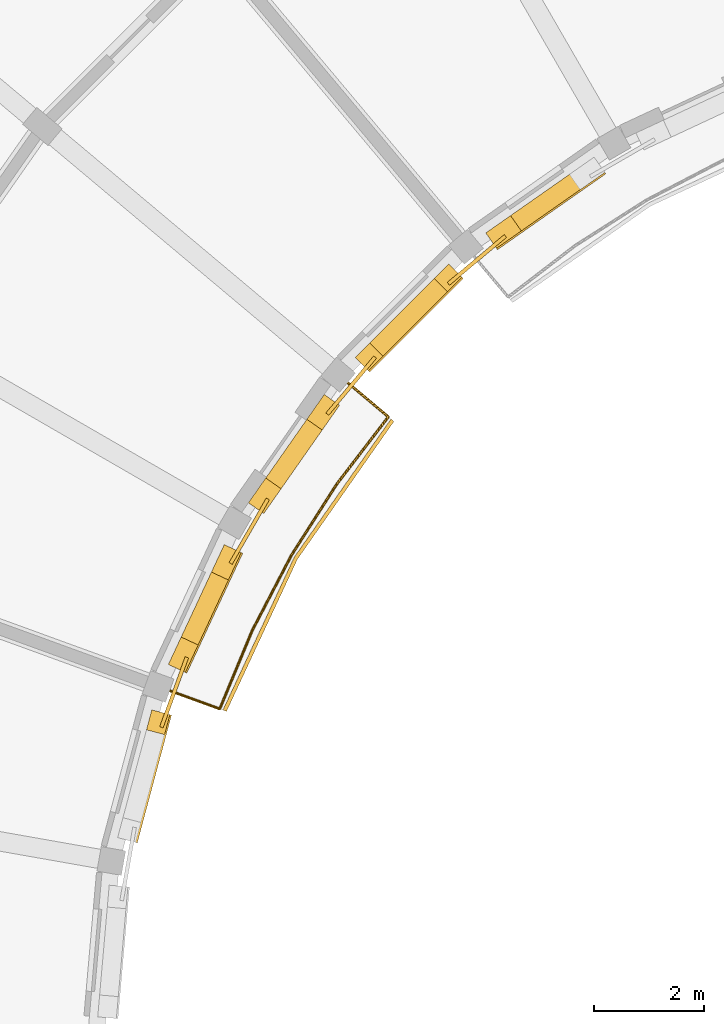
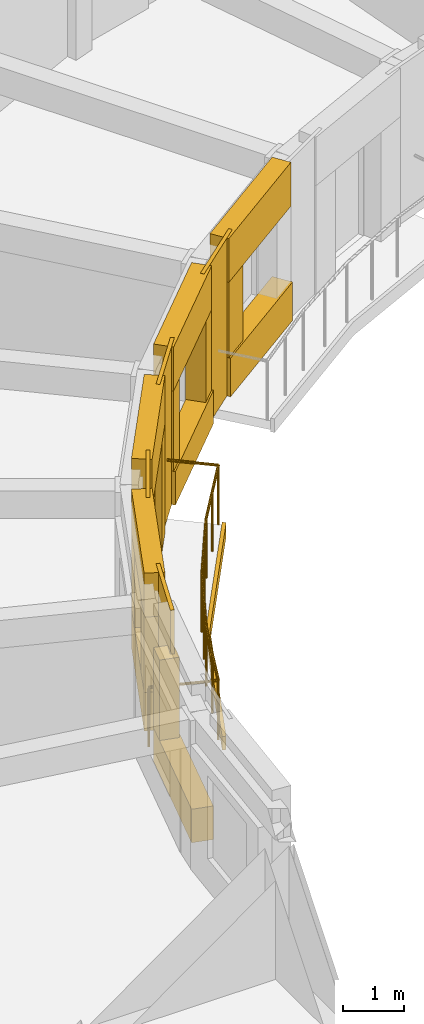
# One storey, part 13 of 16: 21 coverings, 1 railing.
"""IFC4 building model written with IfcOpenShell, lengths in metres."""

from ifc_helpers import new_model, si_unit, direction, frame, origin, origin_2d, place, context, subcontext, project, spatial, polyline, circle, outline, extrude, material, layer, layer_set, type_object, element, save


model = new_model("IFC4")

# Units and contexts
model_context = context("Model", 3, precision=1e-05, world=origin(), true_north=direction((0.0, 1.0)))
body_context = subcontext(model_context, "Body", "Model", "MODEL_VIEW")
ifc_project = project(units=[si_unit("LENGTHUNIT", "METRE"), si_unit("AREAUNIT", "SQUARE_METRE"), si_unit("VOLUMEUNIT", "CUBIC_METRE"), si_unit("PLANEANGLEUNIT", "RADIAN"), si_unit("MASSUNIT", "GRAM", prefix="KILO")], contexts=[model_context])

# Site, building, storey
site_placement = place(None, origin())
site = spatial("IfcSite", under=ifc_project, at=site_placement, CompositionType="ELEMENT")
building_placement = place(site_placement, origin())
building = spatial("IfcBuilding", under=site, at=building_placement, Name="Kiranvali Square Residences", CompositionType="ELEMENT")
storey_placement = place(building_placement, frame((0.0, 0.0, 46.5)))
storey = spatial("IfcBuildingStorey", under=building, at=storey_placement, Name="L14", CompositionType="ELEMENT", Elevation=46.5)

# Coverings
ifc_material_1 = material(Name="Carved Porbandar limestone classical entablature and cornice", Category="masonry")
ifc_layer_1 = layer(ifc_material_1, 0.06201171875)
ifc_layer_set_1 = layer_set([ifc_layer_1], Name="Carved Porbandar limestone classical entablature and cornice")
covering_type_1 = type_object("IfcCoveringType", Name="COV-CLAD-GBAL", PredefinedType="CLADDING", material=ifc_layer_set_1)
covering_1_placement = place(storey_placement, frame((0.0, 0.0, -0.219970703125)))
element("IfcCovering", 1, at=covering_1_placement, inside=storey, type_object=covering_type_1, Name="Block A L14 garden balcony limestone fascia 2", PredefinedType="CLADDING", context=body_context, shape_type="SweptSolid", body=[
    extrude(outline(polyline([(34.757568359375, 99.07958984375), (33.0029296875, 96.573974609375), (31.710205078125, 93.8017578125), (31.774169921875, 93.778564453125), (33.061767578125, 96.5400390625), (34.8095703125, 99.035888671875), (34.757568359375, 99.07958984375)])), origin(), (0.0, 0.0, 1.0), 0.27001953125),
])
ifc_material_2 = material(Name="Honed Porbandar limestone ashlar facade cladding", Category="masonry")
ifc_layer_2 = layer(ifc_material_2, 0.3798828125)
ifc_layer_set_2 = layer_set([ifc_layer_2], Name="Honed Porbandar limestone ashlar facade cladding")
covering_type_2 = type_object("IfcCoveringType", Name="COV-CLAD-JAMB", PredefinedType="CLADDING", material=ifc_layer_set_2)
covering_2_placement = place(storey_placement, frame((0.0, 0.0, 0.77197265625)))
element("IfcCovering", 2, at=covering_2_placement, inside=storey, type_object=covering_type_2, Name="L14 deep limestone window jamb reveal A-L14-GDN-03.R", PredefinedType="CLADDING", context=body_context, shape_type="SweptSolid", body=[
    extrude(outline(polyline([(36.925537109375, 102.768310546875), (36.476318359375, 102.45361328125), (36.671142578125, 102.175537109375), (37.120361328125, 102.490234375), (36.925537109375, 102.768310546875)])), origin(), (0.0, 0.0, 1.0), 1.5),
])
covering_3_placement = place(storey_placement, frame((0.0, 0.0, 0.672119140625)))
element("IfcCovering", 3, at=covering_3_placement, inside=storey, type_object=covering_type_2, Name="L14 deep limestone window jamb reveal A-L14-GDN-04.L", PredefinedType="CLADDING", context=body_context, shape_type="SweptSolid", body=[
    extrude(outline(polyline([(35.804931640625, 101.89013671875), (35.540771484375, 101.6259765625), (35.78076171875, 101.385986328125), (36.044921875, 101.650146484375), (35.804931640625, 101.89013671875)])), origin(), (0.0, 0.0, 1.0), 1.599853515625),
])
covering_4_placement = place(storey_placement, frame((0.0, 0.0, 0.672119140625)))
element("IfcCovering", 4, at=covering_4_placement, inside=storey, type_object=covering_type_2, Name="L14 deep limestone window jamb reveal A-L14-GDN-04.R", PredefinedType="CLADDING", context=body_context, shape_type="SweptSolid", body=[
    extrude(outline(polyline([(34.3740234375, 100.459228515625), (34.10986328125, 100.195068359375), (34.349853515625, 99.955078125), (34.614013671875, 100.21923828125), (34.3740234375, 100.459228515625)])), origin(), (0.0, 0.0, 1.0), 1.599853515625),
])
covering_5_placement = place(storey_placement, origin())
element("IfcCovering", 5, at=covering_5_placement, inside=storey, type_object=covering_type_2, Name="L14 deep limestone window jamb reveal A-L14-GDN-05.L", PredefinedType="CLADDING", context=body_context, shape_type="SweptSolid", body=[
    extrude(outline(polyline([(33.54638671875, 99.523681640625), (33.231689453125, 99.074462890625), (33.509765625, 98.879638671875), (33.824462890625, 99.328857421875), (33.54638671875, 99.523681640625)])), origin(), (0.0, 0.0, 1.0), 2.179931640625),
])
covering_6_placement = place(storey_placement, origin())
element("IfcCovering", 6, at=covering_6_placement, inside=storey, type_object=covering_type_2, Name="L14 deep limestone window jamb reveal A-L14-GDN-05.R", PredefinedType="CLADDING", context=body_context, shape_type="SweptSolid", body=[
    extrude(outline(polyline([(32.486083984375, 98.009521484375), (32.171630859375, 97.56005859375), (32.44970703125, 97.365478515625), (32.76416015625, 97.814697265625), (32.486083984375, 98.009521484375)])), origin(), (0.0, 0.0, 1.0), 2.179931640625),
])
covering_7_placement = place(storey_placement, frame((0.0, 0.0, 0.77197265625)))
element("IfcCovering", 7, at=covering_7_placement, inside=storey, type_object=covering_type_2, Name="L14 deep limestone window jamb reveal A-L14-GDN-06.L", PredefinedType="CLADDING", context=body_context, shape_type="SweptSolid", body=[
    extrude(outline(polyline([(31.733154296875, 96.801025390625), (31.50146484375, 96.303955078125), (31.80908203125, 96.160400390625), (32.041015625, 96.657470703125), (31.733154296875, 96.801025390625)])), origin(), (0.0, 0.0, 1.0), 1.5),
])
covering_8_placement = place(storey_placement, frame((0.0, 0.0, 0.77197265625)))
element("IfcCovering", 8, at=covering_8_placement, inside=storey, type_object=covering_type_2, Name="L14 deep limestone window jamb reveal A-L14-GDN-06.R", PredefinedType="CLADDING", context=body_context, shape_type="SweptSolid", body=[
    extrude(outline(polyline([(30.951904296875, 95.125732421875), (30.72021484375, 94.62841796875), (31.02783203125, 94.485107421875), (31.259765625, 94.982177734375), (30.951904296875, 95.125732421875)])), origin(), (0.0, 0.0, 1.0), 1.5),
])
covering_9_placement = place(storey_placement, frame((0.0, 0.0, 0.672119140625)))
element("IfcCovering", 9, at=covering_9_placement, inside=storey, type_object=covering_type_2, Name="L14 deep limestone window jamb reveal A-L14-GDN-07.L", PredefinedType="CLADDING", context=body_context, shape_type="SweptSolid", body=[
    extrude(outline(polyline([(30.42041015625, 93.804931640625), (30.32373046875, 93.444091796875), (30.651611328125, 93.356201171875), (30.748291015625, 93.717041015625), (30.42041015625, 93.804931640625)])), origin(), (0.0, 0.0, 1.0), 1.599853515625),
])
ifc_layer_3 = layer(ifc_material_2, 0.050048828125)
ifc_layer_set_3 = layer_set([ifc_layer_3], Name="Honed Porbandar limestone ashlar facade cladding")
covering_type_3 = type_object("IfcCoveringType", Name="COV-CLAD-PIER-IN", PredefinedType="CLADDING", material=ifc_layer_set_3)
covering_10_placement = place(storey_placement, frame((0.0, 0.0, 0.0048828125)))
element("IfcCovering", 10, at=covering_10_placement, inside=storey, type_object=covering_type_3, Name="L14 Classical garden courtyard pilaster CLAD-PRIN-A-L14-A04", PredefinedType="CLADDING", context=body_context, shape_type="SweptSolid", body=[
    extrude(outline(polyline([(35.819091796875, 101.5048828125), (36.853271484375, 102.372802734375), (36.809814453125, 102.424560546875), (35.775634765625, 101.556640625), (35.819091796875, 101.5048828125)])), origin(), (0.0, 0.0, 1.0), 3.14013671875),
])
covering_11_placement = place(storey_placement, frame((0.0, 0.0, 0.0048828125)))
element("IfcCovering", 11, at=covering_11_placement, inside=storey, type_object=covering_type_3, Name="L14 Classical garden courtyard pilaster CLAD-PRIN-A-L14-A05", PredefinedType="CLADDING", context=body_context, shape_type="SweptSolid", body=[
    extrude(outline(polyline([(33.627197265625, 99.146728515625), (34.4951171875, 100.180908203125), (34.443359375, 100.224365234375), (33.575439453125, 99.190185546875), (33.627197265625, 99.146728515625)])), origin(), (0.0, 0.0, 1.0), 3.14013671875),
])
covering_12_placement = place(storey_placement, frame((0.0, 0.0, 0.0048828125)))
element("IfcCovering", 12, at=covering_12_placement, inside=storey, type_object=covering_type_3, Name="L14 Classical garden courtyard pilaster CLAD-PRIN-A-L14-A06", PredefinedType="CLADDING", context=body_context, shape_type="SweptSolid", body=[
    extrude(outline(polyline([(31.878173828125, 96.44384765625), (32.55322265625, 97.613037109375), (32.494873046875, 97.646728515625), (31.81982421875, 96.477783203125), (31.878173828125, 96.44384765625)])), origin(), (0.0, 0.0, 1.0), 3.14013671875),
])
covering_13_placement = place(storey_placement, frame((0.0, 0.0, 0.0048828125)))
element("IfcCovering", 13, at=covering_13_placement, inside=storey, type_object=covering_type_3, Name="L14 Classical garden courtyard pilaster CLAD-PRIN-A-L14-A07", PredefinedType="CLADDING", context=body_context, shape_type="SweptSolid", body=[
    extrude(outline(polyline([(30.625244140625, 93.478271484375), (31.0869140625, 94.7470703125), (31.0234375, 94.77001953125), (30.561767578125, 93.50146484375), (30.625244140625, 93.478271484375)])), origin(), (0.0, 0.0, 1.0), 3.14013671875),
])
ifc_layer_4 = layer(ifc_material_2, 0.360107421875)
ifc_layer_set_4 = layer_set([ifc_layer_4], Name="Honed Porbandar limestone ashlar facade cladding")
covering_type_4 = type_object("IfcCoveringType", Name="COV-CLAD-WALL", PredefinedType="CLADDING", material=ifc_layer_set_4)
covering_14_placement = place(storey_placement, frame((0.0, 0.0, 2.27197265625)))
element("IfcCovering", 14, at=covering_14_placement, inside=storey, type_object=covering_type_4, Name="L14 light limestone spandrel lintel A-L14-GDN-03", PredefinedType="CLADDING", context=body_context, shape_type="SweptSolid", body=[
    extrude(outline(polyline([(38.43994140625, 103.828369140625), (36.476318359375, 102.45361328125), (36.671142578125, 102.175537109375), (38.634521484375, 103.55029296875), (38.43994140625, 103.828369140625)])), origin(), (0.0, 0.0, 1.0), 0.873046875),
])
covering_15_placement = place(storey_placement, frame((0.0, 0.0, 2.27197265625)))
element("IfcCovering", 15, at=covering_15_placement, inside=storey, type_object=covering_type_4, Name="L14 light limestone spandrel lintel A-L14-GDN-04", PredefinedType="CLADDING", context=body_context, shape_type="SweptSolid", body=[
    extrude(outline(polyline([(35.804931640625, 101.89013671875), (34.10986328125, 100.195068359375), (34.349853515625, 99.955078125), (36.044921875, 101.650146484375), (35.804931640625, 101.89013671875)])), origin(), (0.0, 0.0, 1.0), 0.873046875),
])
covering_16_placement = place(storey_placement, frame((0.0, 0.0, 2.179931640625)))
element("IfcCovering", 16, at=covering_16_placement, inside=storey, type_object=covering_type_4, Name="L14 light limestone spandrel lintel A-L14-GDN-05", PredefinedType="CLADDING", context=body_context, shape_type="SweptSolid", body=[
    extrude(outline(polyline([(33.54638671875, 99.523681640625), (32.171630859375, 97.56005859375), (32.44970703125, 97.365478515625), (33.824462890625, 99.328857421875), (33.54638671875, 99.523681640625)])), origin(), (0.0, 0.0, 1.0), 0.965087890625),
])
covering_17_placement = place(storey_placement, frame((0.0, 0.0, 2.27197265625)))
element("IfcCovering", 17, at=covering_17_placement, inside=storey, type_object=covering_type_4, Name="L14 light limestone spandrel lintel A-L14-GDN-06", PredefinedType="CLADDING", context=body_context, shape_type="SweptSolid", body=[
    extrude(outline(polyline([(31.733154296875, 96.801025390625), (30.72021484375, 94.62841796875), (31.02783203125, 94.485107421875), (32.041015625, 96.657470703125), (31.733154296875, 96.801025390625)])), origin(), (0.0, 0.0, 1.0), 0.873046875),
])
ifc_layer_5 = layer(ifc_material_2, 0.320068359375)
ifc_layer_set_5 = layer_set([ifc_layer_5], Name="Honed Porbandar limestone ashlar facade cladding")
covering_type_5 = type_object("IfcCoveringType", Name="COV-CLAD-WALL-UP", PredefinedType="CLADDING", material=ifc_layer_set_5)
covering_18_placement = place(storey_placement, frame((0.0, 0.0, 0.0048828125)))
element("IfcCovering", 18, at=covering_18_placement, inside=storey, type_object=covering_type_5, Name="L14 limestone window sill apron A-L14-GDN-03", PredefinedType="CLADDING", context=body_context, shape_type="SweptSolid", body=[
    extrude(outline(polyline([(38.43994140625, 103.828369140625), (36.476318359375, 102.45361328125), (36.688232421875, 102.15087890625), (38.65185546875, 103.52587890625), (38.43994140625, 103.828369140625)])), origin(), (0.0, 0.0, 1.0), 0.76708984375),
])
covering_19_placement = place(storey_placement, frame((0.0, 0.0, 0.0048828125)))
element("IfcCovering", 19, at=covering_19_placement, inside=storey, type_object=covering_type_5, Name="L14 limestone window sill apron A-L14-GDN-04", PredefinedType="CLADDING", context=body_context, shape_type="SweptSolid", body=[
    extrude(outline(polyline([(35.804931640625, 101.89013671875), (34.10986328125, 100.195068359375), (34.37109375, 99.933837890625), (36.066162109375, 101.62890625), (35.804931640625, 101.89013671875)])), origin(), (0.0, 0.0, 1.0), 0.667236328125),
])
covering_20_placement = place(storey_placement, frame((0.0, 0.0, 0.0048828125)))
element("IfcCovering", 20, at=covering_20_placement, inside=storey, type_object=covering_type_5, Name="L14 limestone window sill apron A-L14-GDN-06", PredefinedType="CLADDING", context=body_context, shape_type="SweptSolid", body=[
    extrude(outline(polyline([(31.733154296875, 96.801025390625), (30.72021484375, 94.62841796875), (31.05517578125, 94.472412109375), (32.068115234375, 96.644775390625), (31.733154296875, 96.801025390625)])), origin(), (0.0, 0.0, 1.0), 0.76708984375),
])
covering_21_placement = place(storey_placement, frame((0.0, 0.0, 0.0048828125)))
element("IfcCovering", 21, at=covering_21_placement, inside=storey, type_object=covering_type_5, Name="L14 limestone window sill apron A-L14-GDN-07", PredefinedType="CLADDING", context=body_context, shape_type="SweptSolid", body=[
    extrude(outline(polyline([(30.42041015625, 93.804931640625), (29.800048828125, 91.489501953125), (30.156982421875, 91.393798828125), (30.77734375, 93.709228515625), (30.42041015625, 93.804931640625)])), origin(), (0.0, 0.0, 1.0), 0.667236328125),
])

# Railing
ifc_material_3 = material(Name="Powder-coated architectural bronze balustrade", Category="steel")
railing_type = type_object("IfcRailingType", Name="RL-BAL-GOLD-1200", PredefinedType="BALUSTRADE", material=ifc_material_3)
railing_placement = place(storey_placement, frame((33.8291015625, 99.858642578125, 0.0)))
element("IfcRailing", 22, at=railing_placement, inside=storey, type_object=railing_type, Name="Block A L14 garden balcony gold balustrade 2", PredefinedType="BALUSTRADE", context=body_context, shape_type="SweptSolid", body=[
    extrude(circle(Radius=0.02392578125, at=origin_2d()), frame((0.0, 0.0, 1.17578125), z_axis=(0.765989188314, -0.642853454051, 0.0), x_axis=(0.642853454051, 0.765989188314, 0.0)), (0.0, 0.0, 1.0), 1.14990234375),
    extrude(circle(Radius=0.02392578125, at=origin_2d()), frame((0.880859375, -0.7392578125, 1.17578125), z_axis=(-0.608811807471, -0.793314680996, 0.0), x_axis=(0.793314680996, -0.608811807471, 0.0)), (0.0, 0.0, 1.0), 1.536376953125),
    extrude(circle(Radius=0.02392578125, at=origin_2d()), frame((-0.054443359375, -1.9580078125, 1.17578125), z_axis=(-0.537307309343, -0.843386539688, 0.0), x_axis=(0.843386539688, -0.537307309343, 0.0)), (0.0, 0.0, 1.0), 1.5361328125),
    extrude(circle(Radius=0.02392578125, at=origin_2d()), frame((-0.8798828125, -3.253662109375, 1.17578125), z_axis=(-0.461713009976, -0.887029366154, 0.0), x_axis=(0.887029366154, -0.461713009976, 0.0)), (0.0, 0.0, 1.0), 1.5361328125),
    extrude(circle(Radius=0.02392578125, at=origin_2d()), frame((-1.589111328125, -4.6162109375, 1.17578125), z_axis=(-0.382651197843, -0.923892883829, 0.0), x_axis=(0.923892883829, -0.382651197843, 0.0)), (0.0, 0.0, 1.0), 1.536376953125),
    extrude(circle(Radius=0.02392578125, at=origin_2d()), frame((-2.177001953125, -6.03564453125, 1.17578125), z_axis=(-0.939712828289, 0.341964618562, 0.0), x_axis=(-0.341964618562, -0.939712828289, 0.0)), (0.0, 0.0, 1.0), 1.150146484375),
    extrude(circle(Radius=0.02099609375, at=origin_2d()), origin(), (0.0, 0.0, 1.0), 1.15185546875),
    extrude(circle(Radius=0.02099609375, at=origin_2d()), frame((0.880859375, -0.7392578125, 0.0)), (0.0, 0.0, 1.0), 1.15185546875),
    extrude(circle(Radius=0.02099609375, at=origin_2d()), frame((0.4130859375, -1.3486328125, 0.0)), (0.0, 0.0, 1.0), 1.15185546875),
    extrude(circle(Radius=0.02099609375, at=origin_2d()), frame((-0.054443359375, -1.9580078125, 0.0)), (0.0, 0.0, 1.0), 1.15185546875),
    extrude(circle(Radius=0.02099609375, at=origin_2d()), frame((-0.46728515625, -2.60595703125, 0.0)), (0.0, 0.0, 1.0), 1.15185546875),
    extrude(circle(Radius=0.02099609375, at=origin_2d()), frame((-0.8798828125, -3.253662109375, 0.0)), (0.0, 0.0, 1.0), 1.15185546875),
    extrude(circle(Radius=0.02099609375, at=origin_2d()), frame((-1.234375, -3.93505859375, 0.0)), (0.0, 0.0, 1.0), 1.15185546875),
    extrude(circle(Radius=0.02099609375, at=origin_2d()), frame((-1.589111328125, -4.6162109375, 0.0)), (0.0, 0.0, 1.0), 1.15185546875),
    extrude(circle(Radius=0.02099609375, at=origin_2d()), frame((-1.883056640625, -5.325927734375, 0.0)), (0.0, 0.0, 1.0), 1.15185546875),
    extrude(circle(Radius=0.02099609375, at=origin_2d()), frame((-2.177001953125, -6.03564453125, 0.0)), (0.0, 0.0, 1.0), 1.15185546875),
    extrude(circle(Radius=0.02099609375, at=origin_2d()), frame((-3.2578125, -5.642333984375, 0.0)), (0.0, 0.0, 1.0), 1.15185546875),
])

save(model, "model.ifc")
